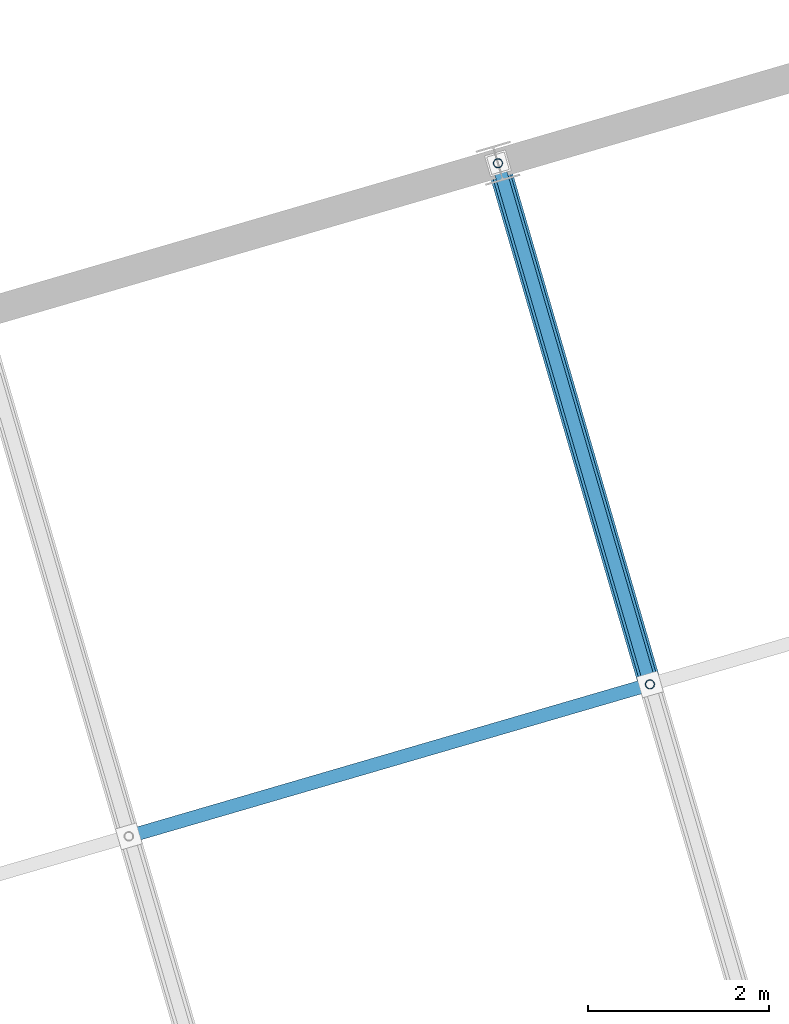
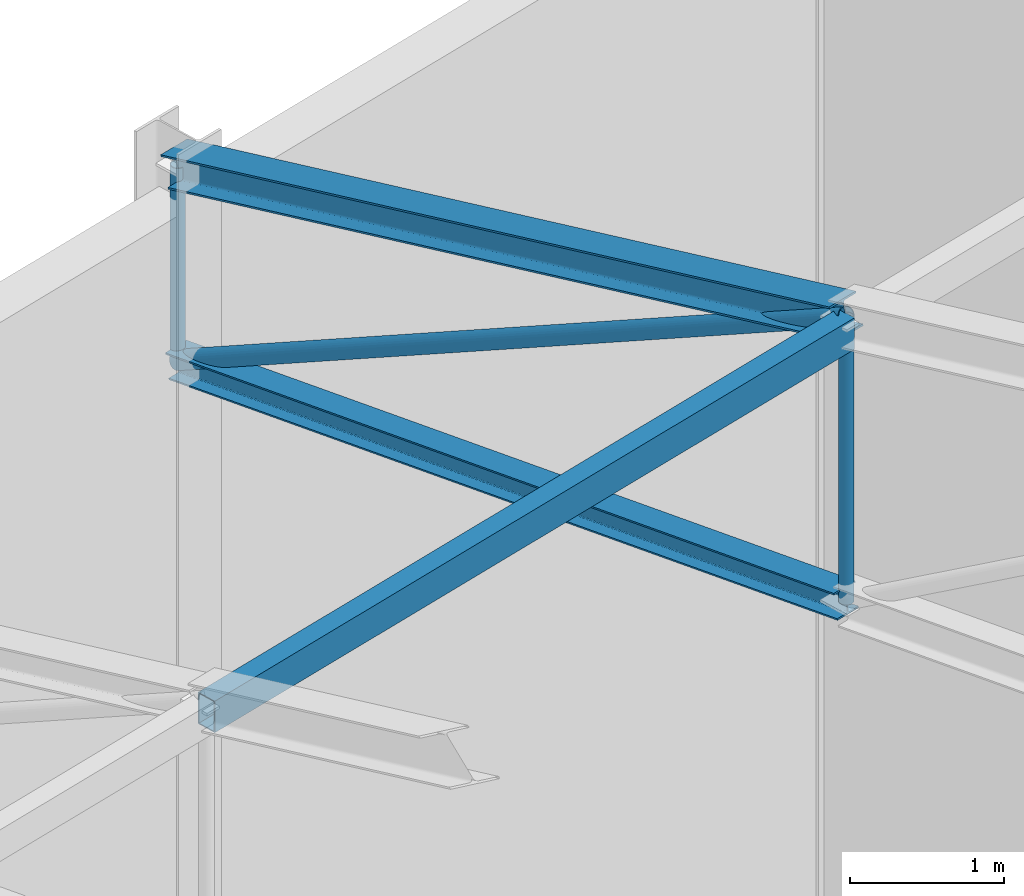
# One storey, part 181 of 248: 6 members.
"""IFC4 building model written with IfcOpenShell, lengths in metres."""

from ifc_helpers import new_model, si_unit, direction, frame, origin, origin_2d, place, context, subcontext, project, spatial, hollow_rectangle, hollow_circle, i_section, extrude, material, material_profile, profile_set, type_object, element, save


model = new_model("IFC4")

# Units and contexts
model_context = context("Model", 3, precision=1e-05, world=origin(), true_north=direction((0.0, 1.0)))
body_context = subcontext(model_context, "Body", "Model", "MODEL_VIEW")
ifc_project = project(units=[si_unit("LENGTHUNIT", "METRE"), si_unit("AREAUNIT", "SQUARE_METRE"), si_unit("VOLUMEUNIT", "CUBIC_METRE"), si_unit("PLANEANGLEUNIT", "RADIAN"), si_unit("MASSUNIT", "GRAM", prefix="KILO")], contexts=[model_context])

# Site, building, storey
site_placement = place(None, origin())
site = spatial("IfcSite", under=ifc_project, at=site_placement, CompositionType="ELEMENT")
building_placement = place(site_placement, origin())
building = spatial("IfcBuilding", under=site, at=building_placement, Name="Canggui Botanical Conservatory", CompositionType="ELEMENT")
storey_placement = place(building_placement, frame((0.0, 0.0, 5.39990234375)))
storey = spatial("IfcBuildingStorey", under=building, at=storey_placement, Name="L02", CompositionType="ELEMENT", Elevation=5.39990234375)

# Members
ifc_material = material(Name="Steel Q355B", Category="steel")
ifc_material_profile_1 = material_profile(ifc_material, hollow_rectangle(XDim=0.14990234375, YDim=0.25, WallThickness=0.008056640625, at=origin_2d()), Name="RHS 150x250x8")
ifc_profile_set_1 = profile_set([ifc_material_profile_1], Name="Steel Q355B")
member_type_1 = type_object("IfcMemberType", Name="MEM-PUR01", PredefinedType="PURLIN", material=ifc_profile_set_1)
member_1_placement = place(storey_placement, frame((84.0, 114.0, 11.550048828125), z_axis=(0.960003190047, 0.279989062464, 0.0), x_axis=(-0.279989062464, 0.960003190047, 0.0)))
element("IfcMember", 1, at=member_1_placement, inside=storey, type_object=member_type_1, Name="Auditorium Roof Purlin 5-3", PredefinedType="PURLIN", context=body_context, shape_type="SweptSolid", body=[
    extrude(hollow_rectangle(XDim=0.14990234375, YDim=0.25, WallThickness=0.008056640625, at=origin_2d()), origin(), (0.0, 0.0, 1.0), 6.0),
])
ifc_material_profile_2 = material_profile(ifc_material, i_section(OverallWidth=0.25, OverallDepth=0.25, WebThickness=0.009033203125, FlangeThickness=0.013916015625, FilletRadius=0.01611328125, at=origin_2d()), Name="HW 250x250x9x14")
ifc_profile_set_2 = profile_set([ifc_material_profile_2], Name="Steel Q355B")
member_type_2 = type_object("IfcMemberType", Name="MEM-TC01", PredefinedType="CHORD", material=ifc_profile_set_2)
member_2_placement = place(storey_placement, frame((89.760009765625, 115.679931640625, 11.650146484375), z_axis=(-0.269385502469, 0.923646586216, -0.272595735168), x_axis=(-0.960003190047, -0.279989062464, 0.0)))
element("IfcMember", 2, at=member_2_placement, inside=storey, type_object=member_type_2, Name="Auditorium Truss AT-06 Top Chord 4", PredefinedType="CHORD", context=body_context, shape_type="SweptSolid", body=[
    extrude(i_section(OverallWidth=0.25, OverallDepth=0.25, WebThickness=0.009033203125, FlangeThickness=0.013916015625, FilletRadius=0.01611328125, at=origin_2d()), origin(), (0.0, 0.0, 1.0), 6.236083984375),
])
ifc_material_profile_3 = material_profile(ifc_material, i_section(OverallWidth=0.199951171875, OverallDepth=0.199951171875, WebThickness=0.008056640625, FlangeThickness=0.011962890625, FilletRadius=0.012939453125, at=origin_2d()), Name="HW 200x200x8x12")
ifc_profile_set_3 = profile_set([ifc_material_profile_3], Name="Steel Q355B")
member_type_3 = type_object("IfcMemberType", Name="MEM-TC02", PredefinedType="CHORD", material=ifc_profile_set_3)
member_3_placement = place(storey_placement, frame((89.760009765625, 115.679931640625, 9.400146484375), z_axis=(-0.276179497805, 0.946941271868, -0.16439924764), x_axis=(-0.960003190047, -0.279989062464, 0.0)))
element("IfcMember", 3, at=member_3_placement, inside=storey, type_object=member_type_3, Name="Auditorium Truss AT-06 Bottom Chord 4", PredefinedType="CHORD", context=body_context, shape_type="SweptSolid", body=[
    extrude(i_section(OverallWidth=0.199951171875, OverallDepth=0.199951171875, WebThickness=0.008056640625, FlangeThickness=0.011962890625, FilletRadius=0.012939453125, at=origin_2d()), origin(), (0.0, 0.0, 1.0), 6.082763671875),
])
ifc_material_profile_4 = material_profile(ifc_material, hollow_circle(Radius=0.070068359375, WallThickness=0.006103515625, at=origin_2d()), Name="CHS 140x6")
ifc_profile_set_4 = profile_set([ifc_material_profile_4], Name="Steel Q355B")
member_type_4 = type_object("IfcMemberType", Name="MEM-TW01", PredefinedType="BRACE", material=ifc_profile_set_4)
member_4_placement = place(storey_placement, frame((88.080078125, 121.43994140625, 8.400146484375), z_axis=(0.246192042448, -0.844122781207, 0.476283747867), x_axis=(0.960003190047, 0.279989062464, 0.0)))
element("IfcMember", 4, at=member_4_placement, inside=storey, type_object=member_type_4, Name="Auditorium Truss AT-06 Web Diagonal 4", PredefinedType="BRACE", context=body_context, shape_type="SweptSolid", body=[
    extrude(hollow_circle(Radius=0.070068359375, WallThickness=0.006103515625, at=origin_2d()), origin(), (0.0, 0.0, 1.0), 6.82373046875),
])
ifc_material_profile_5 = material_profile(ifc_material, hollow_circle(Radius=0.051025390625, WallThickness=0.0048828125, at=origin_2d()), Name="CHS 102x5")
ifc_profile_set_5 = profile_set([ifc_material_profile_5], Name="Steel Q355B")
member_type_5 = type_object("IfcMemberType", Name="MEM-TW04", PredefinedType="BRACE", material=ifc_profile_set_5)
member_5_placement = place(storey_placement, frame((89.760009765625, 115.679931640625, 9.400146484375), z_axis=(0.0, 0.0, 1.0), x_axis=(1.0, 0.0, 0.0)))
element("IfcMember", 5, at=member_5_placement, inside=storey, type_object=member_type_5, Name="Auditorium Truss AT-06 Vertical Post 4", PredefinedType="BRACE", context=body_context, shape_type="SweptSolid", body=[
    extrude(hollow_circle(Radius=0.051025390625, WallThickness=0.0048828125, at=origin_2d()), origin(), (0.0, 0.0, 1.0), 2.25),
])
member_6_placement = place(storey_placement, frame((88.080078125, 121.43994140625, 8.400146484375), z_axis=(0.0, 0.0, 1.0), x_axis=(1.0, 0.0, 0.0)))
element("IfcMember", 6, at=member_6_placement, inside=storey, type_object=member_type_5, Name="Auditorium Truss AT-06 Vertical Post 5", PredefinedType="BRACE", context=body_context, shape_type="SweptSolid", body=[
    extrude(hollow_circle(Radius=0.051025390625, WallThickness=0.0048828125, at=origin_2d()), origin(), (0.0, 0.0, 1.0), 1.550048828125),
])

save(model, "model.ifc")
